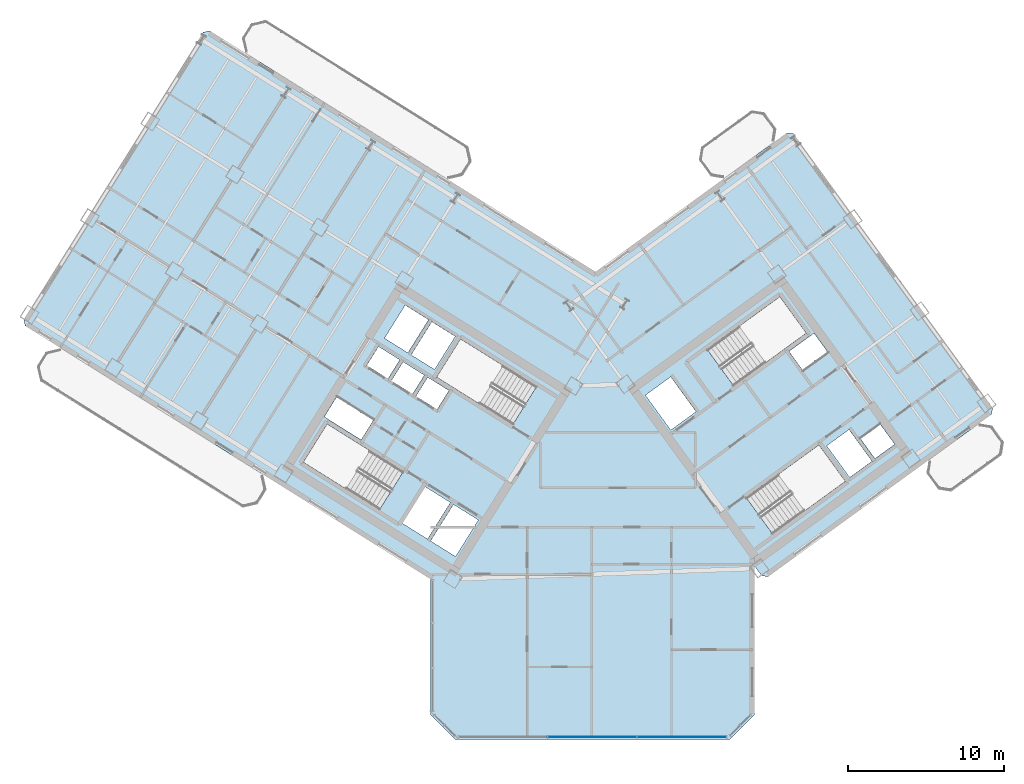
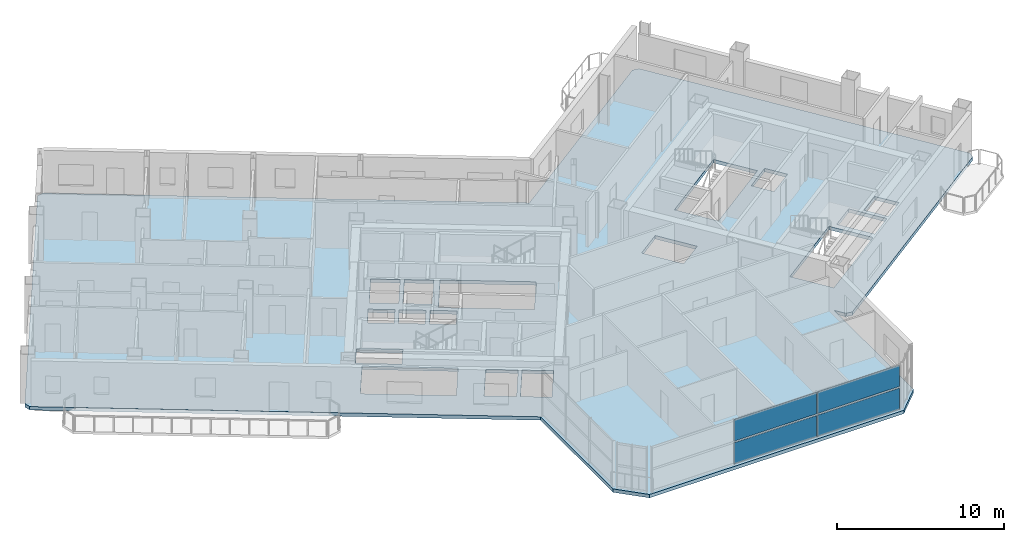
# One storey, part 9 of 20: 4 plates, 1 slab, 1 element without a shape of its own.
"""IFC4 building model written with IfcOpenShell, lengths in metres."""

import ifcopenshell
import ifcopenshell.guid

model = None  # the IFC model being written
_history = None  # IfcOwnerHistory: only IFC2X3 demands one
_inside = {}  # id of a spatial element -> (the spatial element, [elements in it])
_under = {}  # id of a project, library or spatial element -> (it, [spatial elements below it])
_declared = {}  # id of a project -> (the project, [libraries it declares])
_typed = {}  # id of a type object -> (the type object, [elements of that type])
_made_of = {}  # id of a material, layer set ... -> (it, [elements and type objects made of it])


def new_model(schema):
    """Start an empty IFC model of exactly this schema.

    Asked for "IFC4X3", IfcOpenShell would pick the latest addendum, in which some entities
    have other attributes; the version numbers below select the first issue.
    IFC2X3 requires an IfcOwnerHistory on every rooted entity: one is made here for all.
    """
    global model, _history
    if schema == "IFC4X3":
        model = ifcopenshell.file(schema_version=(4, 3, 0, 0))
    else:
        model = ifcopenshell.file(schema=schema)
    _inside.clear()
    _under.clear()
    _declared.clear()
    _typed.clear()
    _made_of.clear()
    _history = None
    if model.schema == "IFC2X3":
        org = make("IfcOrganization", Name="unknown")
        user = make(
            "IfcPersonAndOrganization",
            ThePerson=make("IfcPerson", FamilyName="unknown"),
            TheOrganization=org,
        )
        app = make(
            "IfcApplication",
            ApplicationDeveloper=org,
            Version="unknown",
            ApplicationFullName="unknown",
            ApplicationIdentifier="unknown",
        )
        _history = make(
            "IfcOwnerHistory",
            OwningUser=user,
            OwningApplication=app,
            ChangeAction="ADDED",
            CreationDate=0,
        )
    return model


def make(cls, **values):
    """One entity of the class cls with the attributes given. An attribute that is None is left unset."""
    return model.create_entity(
        cls, **{name: value for name, value in values.items() if value is not None}
    )


def rooted(cls, **values):
    """An entity with a GlobalId (a new one), such as an element, a storey or a relation."""
    return make(cls, GlobalId=ifcopenshell.guid.new(), OwnerHistory=_history, **values)


def si_unit(unit_type, name, prefix=None):
    """IfcSIUnit, for example si_unit("LENGTHUNIT", "METRE", prefix="MILLI")."""
    return make("IfcSIUnit", UnitType=unit_type, Prefix=prefix, Name=name)


def assignment(units):
    """IfcUnitAssignment: the units of a project."""
    return None if units is None else make("IfcUnitAssignment", Units=units)


def point(xyz):
    """IfcCartesianPoint."""
    return None if xyz is None else make("IfcCartesianPoint", Coordinates=xyz)


def direction(xyz):
    """IfcDirection."""
    return None if xyz is None else make("IfcDirection", DirectionRatios=xyz)


def frame(location, z_axis=None, x_axis=None):
    """IfcAxis2Placement3D, a coordinate frame: its origin and axes. An axis left out is left unset."""
    return make(
        "IfcAxis2Placement3D",
        Location=point(location),
        Axis=direction(z_axis),
        RefDirection=direction(x_axis),
    )


def frame_2d(location, x_axis=None):
    """IfcAxis2Placement2D, a coordinate frame in the plane: its origin and x axis."""
    return make(
        "IfcAxis2Placement2D", Location=point(location), RefDirection=direction(x_axis)
    )


def origin():
    """The frame at (0, 0, 0) with its axes left unset."""
    return frame((0.0, 0.0, 0.0))


def origin_2d():
    """The frame at (0, 0) in the plane with its x axis left unset."""
    return frame_2d((0.0, 0.0))


def place(relative_to, where):
    """IfcLocalPlacement: puts the frame where relative to a parent placement (None: the world)."""
    return make(
        "IfcLocalPlacement", PlacementRelTo=relative_to, RelativePlacement=where
    )


def context(
    kind, dimensions, precision=None, world=None, true_north=None, identifier=None
):
    """IfcGeometricRepresentationContext, for example the 3D "Model" context."""
    return make(
        "IfcGeometricRepresentationContext",
        ContextIdentifier=identifier,
        ContextType=kind,
        CoordinateSpaceDimension=dimensions,
        Precision=precision,
        WorldCoordinateSystem=world,
        TrueNorth=true_north,
    )


def subcontext(parent, identifier, kind, view, scale=None):
    """IfcGeometricRepresentationSubContext, for example "Body" below "Model"."""
    return make(
        "IfcGeometricRepresentationSubContext",
        ContextIdentifier=identifier,
        ContextType=kind,
        ParentContext=parent,
        TargetScale=scale,
        TargetView=view,
    )


def project(units=None, contexts=None):
    """IfcProject with its units and contexts."""
    return rooted(
        "IfcProject",
        Name="project",
        RepresentationContexts=contexts,
        UnitsInContext=assignment(units),
    )


def spatial(cls, under=None, at=None, **own):
    """A site, building, storey or space (cls), placed at a placement, below another one or the project."""
    s = rooted(cls, ObjectPlacement=at, **own)
    if under is not None:
        _under.setdefault(under.id(), (under, []))[1].append(s)
    return s


def polyline(points):
    """IfcPolyline through the points."""
    return make("IfcPolyline", Points=[point(p) for p in points])


def profile(cls, at=None, kind="AREA", **sizes):
    """A parametric profile (cls). Its sizes go by their IFC names, for example OverallWidth=200.0."""
    return make(cls, ProfileType=kind, Position=at, **sizes)


def rectangle(**sizes):
    """IfcRectangleProfileDef."""
    return profile("IfcRectangleProfileDef", **sizes)


def outline(outer, holes=None, kind="AREA"):
    """IfcArbitraryClosedProfileDef: a profile drawn as a closed curve; with holes, ...WithVoids."""
    if holes is None:
        return make("IfcArbitraryClosedProfileDef", ProfileType=kind, OuterCurve=outer)
    return make(
        "IfcArbitraryProfileDefWithVoids",
        ProfileType=kind,
        OuterCurve=outer,
        InnerCurves=holes,
    )


def extrude(swept, where, along, depth):
    """IfcExtrudedAreaSolid: the profile swept, set in the frame where, extruded along a direction by depth."""
    return make(
        "IfcExtrudedAreaSolid",
        SweptArea=swept,
        Position=where,
        ExtrudedDirection=direction(along),
        Depth=depth,
    )


def shape(context_of_items, identifier, shape_type, items):
    """IfcShapeRepresentation: the items that make up one representation, for example the "Body"."""
    return make(
        "IfcShapeRepresentation",
        ContextOfItems=context_of_items,
        RepresentationIdentifier=identifier,
        RepresentationType=shape_type,
        Items=items,
    )


def source(mapping_origin, context_of_items, identifier, shape_type, items):
    """IfcRepresentationMap: a shape defined once, which mapped items show again and again."""
    return make(
        "IfcRepresentationMap",
        MappingOrigin=mapping_origin,
        MappedRepresentation=shape(context_of_items, identifier, shape_type, items),
    )


def transform(
    local_origin,
    x_axis=None,
    y_axis=None,
    z_axis=None,
    scale=None,
    scale2=None,
    scale3=None,
    uniform=True,
):
    """IfcCartesianTransformationOperator3D, or its non-uniform kind. x_axis, y_axis, z_axis: its Axis1, 2, 3."""
    if uniform:
        return make(
            "IfcCartesianTransformationOperator3D",
            Axis1=direction(x_axis),
            Axis2=direction(y_axis),
            LocalOrigin=point(local_origin),
            Scale=scale,
            Axis3=direction(z_axis),
        )
    return make(
        "IfcCartesianTransformationOperator3DnonUniform",
        Axis1=direction(x_axis),
        Axis2=direction(y_axis),
        LocalOrigin=point(local_origin),
        Scale=scale,
        Axis3=direction(z_axis),
        Scale2=scale2,
        Scale3=scale3,
    )


def mapped(mapping_source, mapping_target):
    """IfcMappedItem: shows the shape of a source again, moved by a transform."""
    return make(
        "IfcMappedItem", MappingSource=mapping_source, MappingTarget=mapping_target
    )


def material(Name=None, Category=None):
    """IfcMaterial."""
    return make("IfcMaterial", Name=Name, Category=Category)


def layer(
    of_material, thickness, ventilated=None, Name=None, Category=None, Priority=None
):
    """IfcMaterialLayer: one layer of a wall or slab, of a material (None: an air gap)."""
    return make(
        "IfcMaterialLayer",
        Material=of_material,
        LayerThickness=thickness,
        IsVentilated=ventilated,
        Name=Name,
        Category=Category,
        Priority=Priority,
    )


def layer_set(layers, Name=None):
    """IfcMaterialLayerSet."""
    return make("IfcMaterialLayerSet", MaterialLayers=layers, LayerSetName=Name)


def made_of(thing, what):
    """Note that an element or type object is made of a material, layer set ...; save() writes the relation."""
    if what is not None:
        _made_of.setdefault(what.id(), (what, []))[1].append(thing)
    return thing


def type_object(cls, material=None, **own):
    """A type object (cls), such as IfcWallType, which elements share."""
    return made_of(rooted(cls, **own), material)


def element(
    cls,
    number,
    at=None,
    inside=None,
    cuts=None,
    type_object=None,
    material=None,
    context=None,
    identifier="Body",
    shape_type=None,
    held_by="IfcProductDefinitionShape",
    body=None,
    shapes=None,
    **own,
):
    """One element of the class cls, such as IfcWall. Its Tag is "e" and its number.

    at: its placement. inside: the storey or other place that contains it. cuts: it is an
    opening in that element (IfcRelVoidsElement). A single representation is given by context,
    identifier, shape_type and body (its items); several are given by shapes. held_by: the class
    of the entity that holds the representations. save() writes the other relations.
    """
    e = rooted(cls, Tag="e%d" % number, ObjectPlacement=at, **own)
    if body is not None:
        shapes = [shape(context, identifier, shape_type, body)]
    if shapes is not None:
        e.Representation = make(held_by, Representations=shapes)
    if inside is not None:
        _inside.setdefault(inside.id(), (inside, []))[1].append(e)
    if cuts is not None:
        rooted(
            "IfcRelVoidsElement", RelatingBuildingElement=cuts, RelatedOpeningElement=e
        )
    if type_object is not None:
        _typed.setdefault(type_object.id(), (type_object, []))[1].append(e)
    return made_of(e, material)


def aggregate(whole, parts):
    """IfcRelAggregates: a whole, such as a stair, and the parts it consists of."""
    return rooted("IfcRelAggregates", RelatingObject=whole, RelatedObjects=parts)


def save(model, path):
    """Write the relations noted so far, then the file.

    IfcRelAggregates (storeys below a building ...), IfcRelContainedInSpatialStructure (elements
    in a storey), IfcRelDefinesByType, IfcRelAssociatesMaterial and IfcRelDeclares: one each for
    every whole, place, type object, material and project.
    """
    for whole, parts in _under.values():
        aggregate(whole, parts)
    for where, things in _inside.values():
        rooted(
            "IfcRelContainedInSpatialStructure",
            RelatedElements=things,
            RelatingStructure=where,
        )
    for kind, things in _typed.values():
        rooted("IfcRelDefinesByType", RelatedObjects=things, RelatingType=kind)
    for what, things in _made_of.values():
        rooted("IfcRelAssociatesMaterial", RelatedObjects=things, RelatingMaterial=what)
    for by, libraries in _declared.values():
        rooted("IfcRelDeclares", RelatingContext=by, RelatedDefinitions=libraries)
    model.write(path)


model = new_model("IFC4")

# Units and contexts
model_context = context("Model", 3, precision=1e-05, world=origin(), true_north=direction((0.0, 1.0)))
body_context = subcontext(model_context, "Body", "Model", "MODEL_VIEW")
ifc_project = project(units=[si_unit("LENGTHUNIT", "METRE"), si_unit("AREAUNIT", "SQUARE_METRE"), si_unit("VOLUMEUNIT", "CUBIC_METRE"), si_unit("PLANEANGLEUNIT", "RADIAN"), si_unit("MASSUNIT", "GRAM", prefix="KILO")], contexts=[model_context])

# Site, building, storey
site_placement = place(None, origin())
site = spatial("IfcSite", under=ifc_project, at=site_placement, CompositionType="ELEMENT")
building_placement = place(site_placement, origin())
building = spatial("IfcBuilding", under=site, at=building_placement, Name="Tlacorven Tower", CompositionType="ELEMENT")
storey_placement = place(building_placement, frame((0.0, 0.0, 108.89990234375)))
storey = spatial("IfcBuildingStorey", under=building, at=storey_placement, Name="L27", CompositionType="ELEMENT", Elevation=108.89990234375)

# Slab
ifc_material_1 = material(Name="Concrete C40/50", Category="concrete")
ifc_layer_1 = layer(ifc_material_1, 0.25)
ifc_layer_set_1 = layer_set([ifc_layer_1], Name="Concrete C40/50")
slab_type = type_object("IfcSlabType", Name="SL-TWR-250", PredefinedType="FLOOR", material=ifc_layer_set_1)
slab_placement = place(storey_placement, frame((0.0, 0.0, -0.25)))
element("IfcSlab", 1, at=slab_placement, inside=storey, type_object=slab_type, Name="L27 Boomerang Tower Floor Slab", PredefinedType="FLOOR", context=body_context, shape_type="SweptSolid", body=[
    extrude(outline(polyline([(52.39990234375, 3.39990234375), (50.800048828125, 1.800048828125), (33.199951171875, 1.800048828125), (31.60009765625, 3.39990234375), (31.60009765625, 12.09423828125), (5.62451171875, 28.32568359375), (5.529052734375, 28.739013671875), (17.0390625, 47.15869140625), (17.452392578125, 47.254150390625), (42.19970703125, 31.790283203125), (54.481689453125, 40.713623046875), (54.90087890625, 40.647216796875), (67.66748046875, 23.075439453125), (67.60107421875, 22.656494140625), (53.265380859375, 12.24072265625), (52.846435546875, 12.30712890625), (52.39990234375, 12.921630859375), (52.39990234375, 3.39990234375)]), holes=[polyline([(29.865478515625, 18.979736328125), (24.9892578125, 22.02685546875), (23.463134765625, 19.58447265625), (28.33935546875, 16.537353515625), (29.865478515625, 18.979736328125)]), polyline([(38.4169921875, 24.4375), (33.540771484375, 27.484375), (32.0146484375, 25.0419921875), (36.890869140625, 21.9951171875), (38.4169921875, 24.4375)]), polyline([(51.05908203125, 24.481689453125), (55.7109375, 27.861572265625), (54.01806640625, 30.19140625), (49.3662109375, 26.811767578125), (51.05908203125, 24.481689453125)]), polyline([(53.56298828125, 14.978759765625), (58.21484375, 18.3583984375), (56.52197265625, 20.6884765625), (51.8701171875, 17.30859375), (53.56298828125, 14.978759765625)]), polyline([(34.682373046875, 15.87548828125), (33.088134765625, 16.871826171875), (31.62548828125, 14.531005859375), (33.2197265625, 13.534912109375), (34.682373046875, 15.87548828125)]), polyline([(32.884521484375, 16.9990234375), (31.2392578125, 18.02685546875), (29.77685546875, 15.686279296875), (31.421875, 14.658203125), (32.884521484375, 16.9990234375)]), polyline([(47.0234375, 21.648681640625), (48.6416015625, 22.82421875), (47.019287109375, 25.05712890625), (45.401123046875, 23.881591796875), (47.0234375, 21.648681640625)]), polyline([(33.197265625, 27.65185546875), (31.704833984375, 28.58447265625), (30.3798828125, 26.46435546875), (31.87255859375, 25.53173828125), (33.197265625, 27.65185546875)]), polyline([(31.484375, 28.722412109375), (29.99169921875, 29.655029296875), (28.6669921875, 27.534912109375), (30.159423828125, 26.602294921875), (31.484375, 28.722412109375)]), polyline([(32.794921875, 24.17724609375), (31.43798828125, 25.025146484375), (30.685546875, 23.82080078125), (32.042236328125, 22.972900390625), (32.794921875, 24.17724609375)]), polyline([(31.217529296875, 25.162841796875), (29.860595703125, 26.0107421875), (29.108154296875, 24.806396484375), (30.465087890625, 23.958740234375), (31.217529296875, 25.162841796875)]), polyline([(29.64013671875, 26.1484375), (28.283203125, 26.996337890625), (27.53076171875, 25.792236328125), (28.8876953125, 24.9443359375), (29.64013671875, 26.1484375)]), polyline([(58.498779296875, 18.614013671875), (59.922607421875, 19.648681640625), (58.453125, 21.671142578125), (57.029296875, 20.63671875), (58.498779296875, 18.614013671875)]), polyline([(27.96142578125, 22.2919921875), (25.603759765625, 23.76513671875), (24.80908203125, 22.4931640625), (27.16650390625, 21.02001953125), (27.96142578125, 22.2919921875)]), polyline([(55.490478515625, 25.4765625), (57.092529296875, 26.640380859375), (56.210693359375, 27.85400390625), (54.60888671875, 26.690185546875), (55.490478515625, 25.4765625)]), polyline([(60.12109375, 19.817626953125), (61.38330078125, 20.734619140625), (60.45458984375, 22.012939453125), (59.192626953125, 21.095947265625), (60.12109375, 19.817626953125)])]), origin(), (0.0, 0.0, 1.0), 0.25),
])

# Curtain wall, plates
ifc_material_2 = material(Name="Dark solar low-E double glazing in aluminium frame", Category="aluminium")
curtain_wall_type = type_object("IfcCurtainWallType", Name="CW-TWR-MID", PredefinedType="USERDEFINED", material=ifc_material_2)
curtain_wall_placement = place(storey_placement, origin())
curtain_wall = element("IfcCurtainWall", 2, at=curtain_wall_placement, inside=storey, type_object=curtain_wall_type, Name="L27 CW-TWR-MID Curtain Wall 136", ObjectType="UNITISED CURTAIN WALL", PredefinedType="USERDEFINED")
ifc_material_3 = material(Name="High-wind dark solar tempered low-E glazing", Category="glass")
ifc_layer_2 = layer(ifc_material_3, 0.028076171875)
ifc_layer_set_2 = layer_set([ifc_layer_2], Name="High-wind dark solar tempered low-E glazing")
plate_type = type_object("IfcPlateType", Name="CWP-03", PredefinedType="CURTAIN_PANEL", material=ifc_layer_set_2)
shared_shape_1 = source(origin(), body_context, "Body", "SweptSolid", [
    extrude(rectangle(XDim=5.67626953125, YDim=0.028076171875, at=origin_2d()), origin(), (0.0, 0.0, 1.0), 1.552978515625),
])
plate_1_placement = place(storey_placement, frame((47.739501953125, 1.9599609375, 0.06103515625), z_axis=(0.0, 0.0, 1.0), x_axis=(-1.0, 0.0, 0.0)))
plate_1 = element("IfcPlate", 3, at=plate_1_placement, type_object=plate_type, Name="CW-L27-136 Glazing Panel 1", PredefinedType="CURTAIN_PANEL", context=body_context, shape_type="MappedRepresentation", body=[
    mapped(shared_shape_1, transform((0.0, 0.0, 0.0), scale=1.0)),
])
plate_2_placement = place(storey_placement, frame((47.739501953125, 1.9599609375, 1.736328125), z_axis=(0.0, 0.0, 1.0), x_axis=(-1.0, 0.0, 0.0)))
plate_2 = element("IfcPlate", 4, at=plate_2_placement, type_object=plate_type, Name="CW-L27-136 Glazing Panel 2", PredefinedType="CURTAIN_PANEL", context=body_context, shape_type="MappedRepresentation", body=[
    mapped(shared_shape_1, transform((0.0, 0.0, 0.0), scale=1.0)),
])
shared_shape_2 = source(origin(), body_context, "Body", "SweptSolid", [
    extrude(rectangle(XDim=5.708740234375, YDim=0.028076171875, at=origin_2d()), origin(), (0.0, 0.0, 1.0), 1.552978515625),
])
plate_3_placement = place(storey_placement, frame((42.0, 1.9599609375, 0.06103515625), z_axis=(0.0, 0.0, 1.0), x_axis=(-1.0, 0.0, 0.0)))
plate_3 = element("IfcPlate", 5, at=plate_3_placement, type_object=plate_type, Name="CW-L27-136 Glazing Panel 3", PredefinedType="CURTAIN_PANEL", context=body_context, shape_type="MappedRepresentation", body=[
    mapped(shared_shape_2, transform((0.0, 0.0, 0.0), scale=1.0)),
])
plate_4_placement = place(storey_placement, frame((42.0, 1.9599609375, 1.736328125), z_axis=(0.0, 0.0, 1.0), x_axis=(-1.0, 0.0, 0.0)))
plate_4 = element("IfcPlate", 6, at=plate_4_placement, type_object=plate_type, Name="CW-L27-136 Glazing Panel 4", PredefinedType="CURTAIN_PANEL", context=body_context, shape_type="MappedRepresentation", body=[
    mapped(shared_shape_2, transform((0.0, 0.0, 0.0), scale=1.0)),
])
aggregate(curtain_wall, [plate_1, plate_2, plate_3, plate_4])

save(model, "model.ifc")
